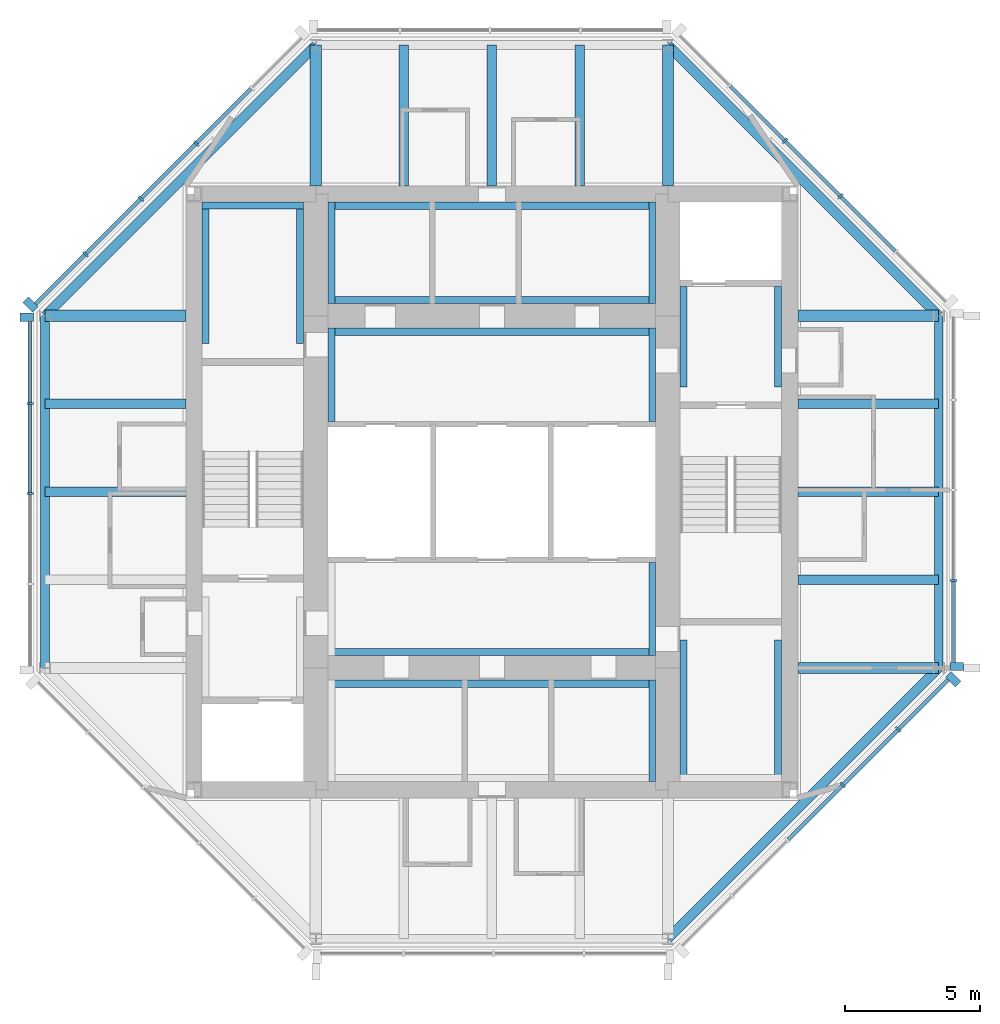
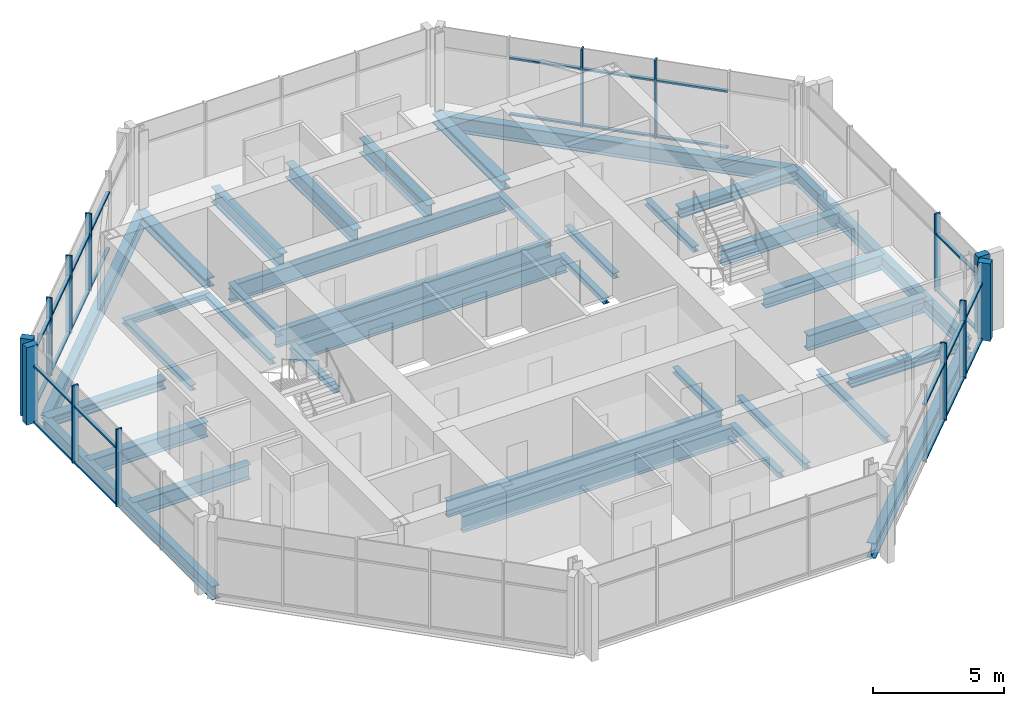
# One storey, part 2 of 8: 40 members, 36 beams, 5 elements without a shape of their own.
"""IFC4 building model written with IfcOpenShell, lengths in metres."""

from ifc_helpers import new_model, si_unit, direction, frame, origin, origin_2d, place, context, subcontext, project, spatial, rectangle, i_section, extrude, material, material_profile, profile_set, type_object, element, aggregate, save


model = new_model("IFC4")

# Units and contexts
model_context = context("Model", 3, precision=1e-05, world=origin(), true_north=direction((0.0, 1.0)))
body_context = subcontext(model_context, "Body", "Model", "MODEL_VIEW")
ifc_project = project(units=[si_unit("LENGTHUNIT", "METRE"), si_unit("AREAUNIT", "SQUARE_METRE"), si_unit("VOLUMEUNIT", "CUBIC_METRE"), si_unit("PLANEANGLEUNIT", "RADIAN"), si_unit("MASSUNIT", "GRAM", prefix="KILO")], contexts=[model_context])

# Site, building, storey
site_placement = place(None, origin())
site = spatial("IfcSite", under=ifc_project, at=site_placement, CompositionType="ELEMENT")
building_placement = place(site_placement, origin())
building = spatial("IfcBuilding", under=site, at=building_placement, Name="Trevanion Tower", CompositionType="ELEMENT")
storey_placement = place(building_placement, frame((0.0, 0.0, 266.800048828125)))
storey = spatial("IfcBuildingStorey", under=building, at=storey_placement, Name="L65", CompositionType="ELEMENT", Elevation=266.800048828125)

# Beams
ifc_material_1 = material(Name="Steel ASTM A992 Grade 50", Category="steel")
ifc_material_profile_1 = material_profile(ifc_material_1, i_section(OverallWidth=0.355712890625, OverallDepth=0.700927734375, WebThickness=0.016845703125, FlangeThickness=0.02734375, at=origin_2d()), Name="W27X161")
ifc_profile_set_1 = profile_set([ifc_material_profile_1], Name="Steel ASTM A992 Grade 50")
beam_type_1 = type_object("IfcBeamType", Name="B15 W27X161", PredefinedType="BEAM", material=ifc_profile_set_1)
for number, where, z_axis, x_axis, name in (
    (1, (11.300048828125, -3.25, -0.54052734375), (1.0, 0.0, 0.0), (0.0, 1.0, 0.0), "B15 L65"),
    (2, (11.300048828125, 0.0, -0.54052734375), (1.0, 0.0, 0.0), (0.0, 1.0, 0.0), "B15 L65"),
    (3, (11.300048828125, 3.25, -0.54052734375), (1.0, 0.0, 0.0), (0.0, 1.0, 0.0), "B15 L65"),
    (4, (3.25, 11.300048828125, -0.54052734375), (0.0, 1.0, 0.0), (-1.0, 0.0, 0.0), "B15 L65"),
    (5, (0.0, 11.300048828125, -0.54052734375), (0.0, 1.0, 0.0), (-1.0, 0.0, 0.0), "B15 L65"),
    (6, (-3.25, 11.300048828125, -0.54052734375), (0.0, 1.0, 0.0), (-1.0, 0.0, 0.0), "B15 L65"),
    (7, (-11.300048828125, 3.25, -0.54052734375), (-1.0, 0.0, 0.0), (0.0, -1.0, 0.0), "B15 L65"),
    (8, (-11.300048828125, 0.0, -0.54052734375), (-1.0, 0.0, 0.0), (0.0, -1.0, 0.0), "B15 L65"),
):
    element("IfcBeam", number, at=place(storey_placement, frame(where, z_axis=z_axis, x_axis=x_axis)), inside=storey, type_object=beam_type_1, Name=name, PredefinedType="BEAM", context=body_context, shape_type="SweptSolid", body=[
        extrude(i_section(OverallWidth=0.355712890625, OverallDepth=0.700927734375, WebThickness=0.016845703125, FlangeThickness=0.02734375, at=origin_2d()), origin(), (0.0, 0.0, 1.0), 5.199951171875),
    ])

# Curtain wall, member
ifc_material_2 = material(Name="Aluminium and glass", Category="aluminium")
curtain_wall_type = type_object("IfcCurtainWallType", Name="CW4 curtain wall", PredefinedType="USERDEFINED", material=ifc_material_2)
curtain_wall_1_placement = place(storey_placement, origin())
curtain_wall_1 = element("IfcCurtainWall", 9, at=curtain_wall_1_placement, inside=storey, type_object=curtain_wall_type, Name="CW4 L65 0", ObjectType="UNITISED CURTAIN WALL", PredefinedType="USERDEFINED")
ifc_material_3 = material(Name="Aluminium extrusion, anodised bronze", Category="aluminium")
ifc_material_profile_2 = material_profile(ifc_material_3, rectangle(XDim=0.074951171875, YDim=0.25, at=origin_2d()), Name="CW4 mullion")
ifc_profile_set_2 = profile_set([ifc_material_profile_2], Name="Aluminium extrusion, anodised bronze")
member_type_1 = type_object("IfcMemberType", Name="CW4 mullion", PredefinedType="MULLION", material=ifc_profile_set_2)
member_1_placement = place(storey_placement, frame((17.050048828125, -3.266357421875, -0.18994140625), z_axis=(0.0, 0.0, 1.0), x_axis=(0.0, 1.0, 0.0)))
member_1 = element("IfcMember", 10, at=member_1_placement, type_object=member_type_1, Name="CW4 mullion 2", PredefinedType="MULLION", context=body_context, shape_type="SweptSolid", body=[
    extrude(rectangle(XDim=0.074951171875, YDim=0.25, at=origin_2d()), origin(), (0.0, 0.0, 1.0), 3.599853515625),
])

# Curtain wall, members
curtain_wall_2_placement = place(storey_placement, origin())
curtain_wall_2 = element("IfcCurtainWall", 11, at=curtain_wall_2_placement, inside=storey, type_object=curtain_wall_type, Name="CW4 L65 1", ObjectType="UNITISED CURTAIN WALL", PredefinedType="USERDEFINED")
member_2_placement = place(storey_placement, frame((12.865966796875, 10.911865234375, -0.18994140625), z_axis=(0.0, 0.0, 1.0), x_axis=(-0.707106781187, 0.707106781187, 0.0)))
member_2 = element("IfcMember", 12, at=member_2_placement, type_object=member_type_1, Name="CW4 mullion 3", PredefinedType="MULLION", context=body_context, shape_type="SweptSolid", body=[
    extrude(rectangle(XDim=0.074951171875, YDim=0.25, at=origin_2d()), origin(), (0.0, 0.0, 1.0), 3.599853515625),
])
member_3_placement = place(storey_placement, frame((10.81982421875, 12.9580078125, -0.18994140625), z_axis=(0.0, 0.0, 1.0), x_axis=(-0.707106781187, 0.707106781187, 0.0)))
member_3 = element("IfcMember", 13, at=member_3_placement, type_object=member_type_1, Name="CW4 mullion 4", PredefinedType="MULLION", context=body_context, shape_type="SweptSolid", body=[
    extrude(rectangle(XDim=0.074951171875, YDim=0.25, at=origin_2d()), origin(), (0.0, 0.0, 1.0), 3.599853515625),
])

curtain_wall_3_placement = place(storey_placement, origin())
curtain_wall_3 = element("IfcCurtainWall", 14, at=curtain_wall_3_placement, inside=storey, type_object=curtain_wall_type, Name="CW4 L65 3", ObjectType="UNITISED CURTAIN WALL", PredefinedType="USERDEFINED")
member_4_placement = place(storey_placement, frame((-10.911865234375, 12.865966796875, -0.18994140625), z_axis=(0.0, 0.0, 1.0), x_axis=(-0.707106781187, -0.707106781187, 0.0)))
member_4 = element("IfcMember", 15, at=member_4_placement, type_object=member_type_1, Name="CW4 mullion 3", PredefinedType="MULLION", context=body_context, shape_type="SweptSolid", body=[
    extrude(rectangle(XDim=0.074951171875, YDim=0.25, at=origin_2d()), origin(), (0.0, 0.0, 1.0), 3.599853515625),
])
member_5_placement = place(storey_placement, frame((-12.9580078125, 10.81982421875, -0.18994140625), z_axis=(0.0, 0.0, 1.0), x_axis=(-0.707106781187, -0.707106781187, 0.0)))
member_5 = element("IfcMember", 16, at=member_5_placement, type_object=member_type_1, Name="CW4 mullion 4", PredefinedType="MULLION", context=body_context, shape_type="SweptSolid", body=[
    extrude(rectangle(XDim=0.074951171875, YDim=0.25, at=origin_2d()), origin(), (0.0, 0.0, 1.0), 3.599853515625),
])
member_6_placement = place(storey_placement, frame((-15.00390625, 8.77392578125, -0.18994140625), z_axis=(0.0, 0.0, 1.0), x_axis=(-0.707106781187, -0.707106781187, 0.0)))
member_6 = element("IfcMember", 17, at=member_6_placement, type_object=member_type_1, Name="CW4 mullion 5", PredefinedType="MULLION", context=body_context, shape_type="SweptSolid", body=[
    extrude(rectangle(XDim=0.074951171875, YDim=0.25, at=origin_2d()), origin(), (0.0, 0.0, 1.0), 3.599853515625),
])

curtain_wall_4_placement = place(storey_placement, origin())
curtain_wall_4 = element("IfcCurtainWall", 18, at=curtain_wall_4_placement, inside=storey, type_object=curtain_wall_type, Name="CW4 L65 4", ObjectType="UNITISED CURTAIN WALL", PredefinedType="USERDEFINED")
member_7_placement = place(storey_placement, frame((-17.050048828125, 3.266357421875, -0.18994140625), z_axis=(0.0, 0.0, 1.0), x_axis=(0.0, -1.0, 0.0)))
member_7 = element("IfcMember", 19, at=member_7_placement, type_object=member_type_1, Name="CW4 mullion 2", PredefinedType="MULLION", context=body_context, shape_type="SweptSolid", body=[
    extrude(rectangle(XDim=0.074951171875, YDim=0.25, at=origin_2d()), origin(), (0.0, 0.0, 1.0), 3.599853515625),
])
member_8_placement = place(storey_placement, frame((-17.050048828125, -0.06494140625, -0.18994140625), z_axis=(0.0, 0.0, 1.0), x_axis=(0.0, -1.0, 0.0)))
member_8 = element("IfcMember", 20, at=member_8_placement, type_object=member_type_1, Name="CW4 mullion 3", PredefinedType="MULLION", context=body_context, shape_type="SweptSolid", body=[
    extrude(rectangle(XDim=0.074951171875, YDim=0.25, at=origin_2d()), origin(), (0.0, 0.0, 1.0), 3.599853515625),
])

curtain_wall_5_placement = place(storey_placement, origin())
curtain_wall_5 = element("IfcCurtainWall", 21, at=curtain_wall_5_placement, inside=storey, type_object=curtain_wall_type, Name="CW4 L65 7", ObjectType="UNITISED CURTAIN WALL", PredefinedType="USERDEFINED")
member_9_placement = place(storey_placement, frame((12.9580078125, -10.81982421875, -0.18994140625), z_axis=(0.0, 0.0, 1.0), x_axis=(0.707106781187, 0.707106781187, 0.0)))
member_9 = element("IfcMember", 22, at=member_9_placement, type_object=member_type_1, Name="CW4 mullion 4", PredefinedType="MULLION", context=body_context, shape_type="SweptSolid", body=[
    extrude(rectangle(XDim=0.074951171875, YDim=0.25, at=origin_2d()), origin(), (0.0, 0.0, 1.0), 3.599853515625),
])
member_10_placement = place(storey_placement, frame((15.00390625, -8.77392578125, -0.18994140625), z_axis=(0.0, 0.0, 1.0), x_axis=(0.707106781187, 0.707106781187, 0.0)))
member_10 = element("IfcMember", 23, at=member_10_placement, type_object=member_type_1, Name="CW4 mullion 5", PredefinedType="MULLION", context=body_context, shape_type="SweptSolid", body=[
    extrude(rectangle(XDim=0.074951171875, YDim=0.25, at=origin_2d()), origin(), (0.0, 0.0, 1.0), 3.599853515625),
])

# Member
ifc_material_4 = material(Name="Aluminium extrusion, anodised bronze", Category="aluminium")
ifc_material_profile_3 = material_profile(ifc_material_4, rectangle(XDim=0.300048828125, YDim=0.5, at=origin_2d()), Name="CW4 pier mullion")
ifc_profile_set_3 = profile_set([ifc_material_profile_3], Name="Aluminium extrusion, anodised bronze")
member_type_2 = type_object("IfcMemberType", Name="CW4 pier mullion", PredefinedType="MULLION", material=ifc_profile_set_3)
member_11_placement = place(storey_placement, frame((17.175048828125, -6.44775390625, -0.18994140625), z_axis=(0.0, 0.0, 1.0), x_axis=(0.0, 1.0, 0.0)))
member_11 = element("IfcMember", 24, at=member_11_placement, type_object=member_type_2, Name="CW4 pier mullion 1", PredefinedType="MULLION", context=body_context, shape_type="SweptSolid", body=[
    extrude(rectangle(XDim=0.300048828125, YDim=0.5, at=origin_2d()), origin(), (0.0, 0.0, 1.0), 3.599853515625),
])

member_12_placement = place(storey_placement, frame((-17.0322265625, 6.92236328125, -0.18994140625), z_axis=(0.0, 0.0, 1.0), x_axis=(-0.707106781187, -0.707106781187, 0.0)))
member_12 = element("IfcMember", 25, at=member_12_placement, type_object=member_type_2, Name="CW4 pier mullion 6", PredefinedType="MULLION", context=body_context, shape_type="SweptSolid", body=[
    extrude(rectangle(XDim=0.300048828125, YDim=0.5, at=origin_2d()), origin(), (0.0, 0.0, 1.0), 3.599853515625),
])

member_13_placement = place(storey_placement, frame((-17.175048828125, 6.44775390625, -0.18994140625), z_axis=(0.0, 0.0, 1.0), x_axis=(0.0, -1.0, 0.0)))
member_13 = element("IfcMember", 26, at=member_13_placement, type_object=member_type_2, Name="CW4 pier mullion 1", PredefinedType="MULLION", context=body_context, shape_type="SweptSolid", body=[
    extrude(rectangle(XDim=0.300048828125, YDim=0.5, at=origin_2d()), origin(), (0.0, 0.0, 1.0), 3.599853515625),
])

member_14_placement = place(storey_placement, frame((17.0322265625, -6.92236328125, -0.18994140625), z_axis=(0.0, 0.0, 1.0), x_axis=(0.707106781187, 0.707106781187, 0.0)))
member_14 = element("IfcMember", 27, at=member_14_placement, type_object=member_type_2, Name="CW4 pier mullion 6", PredefinedType="MULLION", context=body_context, shape_type="SweptSolid", body=[
    extrude(rectangle(XDim=0.300048828125, YDim=0.5, at=origin_2d()), origin(), (0.0, 0.0, 1.0), 3.599853515625),
])

ifc_material_5 = material(Name="Aluminium extrusion, anodised bronze", Category="aluminium")
ifc_material_profile_4 = material_profile(ifc_material_5, rectangle(XDim=0.14990234375, YDim=0.074951171875, at=origin_2d()), Name="CW4 transom")
ifc_profile_set_4 = profile_set([ifc_material_profile_4], Name="Aluminium extrusion, anodised bronze")
member_type_3 = type_object("IfcMemberType", Name="CW4 transom", PredefinedType="USERDEFINED", material=ifc_profile_set_4)
member_15_placement = place(storey_placement, frame((17.050048828125, -6.2978515625, -0.152587890625), z_axis=(0.0, 1.0, 0.0), x_axis=(-1.0, 0.0, 0.0)))
member_15 = element("IfcMember", 28, at=member_15_placement, type_object=member_type_3, Name="CW4 transom 1.1", ObjectType="TRANSOM", PredefinedType="USERDEFINED", context=body_context, shape_type="SweptSolid", body=[
    extrude(rectangle(XDim=0.14990234375, YDim=0.074951171875, at=origin_2d()), origin(), (0.0, 0.0, 1.0), 2.993896484375),
])

member_16_placement = place(storey_placement, frame((17.050048828125, -6.2978515625, 2.4599609375), z_axis=(0.0, 1.0, 0.0), x_axis=(-1.0, 0.0, 0.0)))
member_16 = element("IfcMember", 29, at=member_16_placement, type_object=member_type_3, Name="CW4 transom 1.2", ObjectType="TRANSOM", PredefinedType="USERDEFINED", context=body_context, shape_type="SweptSolid", body=[
    extrude(rectangle(XDim=0.14990234375, YDim=0.074951171875, at=origin_2d()), origin(), (0.0, 0.0, 1.0), 2.993896484375),
])

aggregate(curtain_wall_1, [member_11, member_1, member_15, member_16])

member_17_placement = place(storey_placement, frame((14.885498046875, 8.892333984375, -0.152587890625), z_axis=(-0.707106781187, 0.707106781187, 0.0), x_axis=(-0.707106781187, -0.707106781187, 0.0)))
member_17 = element("IfcMember", 30, at=member_17_placement, type_object=member_type_3, Name="CW4 transom 2.1", ObjectType="TRANSOM", PredefinedType="USERDEFINED", context=body_context, shape_type="SweptSolid", body=[
    extrude(rectangle(XDim=0.14990234375, YDim=0.074951171875, at=origin_2d()), origin(), (0.0, 0.0, 1.0), 2.818359375),
])

member_18_placement = place(storey_placement, frame((14.885498046875, 8.892333984375, 2.4599609375), z_axis=(-0.707106781187, 0.707106781187, 0.0), x_axis=(-0.707106781187, -0.707106781187, 0.0)))
member_18 = element("IfcMember", 31, at=member_18_placement, type_object=member_type_3, Name="CW4 transom 2.2", ObjectType="TRANSOM", PredefinedType="USERDEFINED", context=body_context, shape_type="SweptSolid", body=[
    extrude(rectangle(XDim=0.14990234375, YDim=0.074951171875, at=origin_2d()), origin(), (0.0, 0.0, 1.0), 2.818359375),
])

member_19_placement = place(storey_placement, frame((12.839599609375, 10.9384765625, -0.152587890625), z_axis=(-0.707150088905, 0.707063470815, 0.0), x_axis=(-0.707063470815, -0.707150088905, 0.0)))
member_19 = element("IfcMember", 32, at=member_19_placement, type_object=member_type_3, Name="CW4 transom 3.1", ObjectType="TRANSOM", PredefinedType="USERDEFINED", context=body_context, shape_type="SweptSolid", body=[
    extrude(rectangle(XDim=0.14990234375, YDim=0.074951171875, at=origin_2d()), origin(), (0.0, 0.0, 1.0), 2.818603515625),
])

member_20_placement = place(storey_placement, frame((12.839599609375, 10.9384765625, 2.4599609375), z_axis=(-0.707150088905, 0.707063470815, 0.0), x_axis=(-0.707063470815, -0.707150088905, 0.0)))
member_20 = element("IfcMember", 33, at=member_20_placement, type_object=member_type_3, Name="CW4 transom 3.2", ObjectType="TRANSOM", PredefinedType="USERDEFINED", context=body_context, shape_type="SweptSolid", body=[
    extrude(rectangle(XDim=0.14990234375, YDim=0.074951171875, at=origin_2d()), origin(), (0.0, 0.0, 1.0), 2.818603515625),
])

member_21_placement = place(storey_placement, frame((10.79345703125, 12.984375, -0.152587890625), z_axis=(-0.707150088905, 0.707063470815, 0.0), x_axis=(-0.707063470815, -0.707150088905, 0.0)))
member_21 = element("IfcMember", 34, at=member_21_placement, type_object=member_type_3, Name="CW4 transom 4.1", ObjectType="TRANSOM", PredefinedType="USERDEFINED", context=body_context, shape_type="SweptSolid", body=[
    extrude(rectangle(XDim=0.14990234375, YDim=0.074951171875, at=origin_2d()), origin(), (0.0, 0.0, 1.0), 2.818603515625),
])

member_22_placement = place(storey_placement, frame((10.79345703125, 12.984375, 2.4599609375), z_axis=(-0.707150088905, 0.707063470815, 0.0), x_axis=(-0.707063470815, -0.707150088905, 0.0)))
member_22 = element("IfcMember", 35, at=member_22_placement, type_object=member_type_3, Name="CW4 transom 4.2", ObjectType="TRANSOM", PredefinedType="USERDEFINED", context=body_context, shape_type="SweptSolid", body=[
    extrude(rectangle(XDim=0.14990234375, YDim=0.074951171875, at=origin_2d()), origin(), (0.0, 0.0, 1.0), 2.818603515625),
])

aggregate(curtain_wall_2, [member_2, member_3, member_17, member_18, member_19, member_20, member_21, member_22])

member_23_placement = place(storey_placement, frame((-8.892333984375, 14.885498046875, -0.152587890625), z_axis=(-0.707106781187, -0.707106781187, 0.0), x_axis=(0.707106781187, -0.707106781187, 0.0)))
member_23 = element("IfcMember", 36, at=member_23_placement, type_object=member_type_3, Name="CW4 transom 2.1", ObjectType="TRANSOM", PredefinedType="USERDEFINED", context=body_context, shape_type="SweptSolid", body=[
    extrude(rectangle(XDim=0.14990234375, YDim=0.074951171875, at=origin_2d()), origin(), (0.0, 0.0, 1.0), 2.818359375),
])

member_24_placement = place(storey_placement, frame((-8.892333984375, 14.885498046875, 2.4599609375), z_axis=(-0.707106781187, -0.707106781187, 0.0), x_axis=(0.707106781187, -0.707106781187, 0.0)))
member_24 = element("IfcMember", 37, at=member_24_placement, type_object=member_type_3, Name="CW4 transom 2.2", ObjectType="TRANSOM", PredefinedType="USERDEFINED", context=body_context, shape_type="SweptSolid", body=[
    extrude(rectangle(XDim=0.14990234375, YDim=0.074951171875, at=origin_2d()), origin(), (0.0, 0.0, 1.0), 2.818359375),
])

member_25_placement = place(storey_placement, frame((-10.9384765625, 12.839599609375, -0.152587890625), z_axis=(-0.707063470815, -0.707150088905, 0.0), x_axis=(0.707150088905, -0.707063470815, 0.0)))
member_25 = element("IfcMember", 38, at=member_25_placement, type_object=member_type_3, Name="CW4 transom 3.1", ObjectType="TRANSOM", PredefinedType="USERDEFINED", context=body_context, shape_type="SweptSolid", body=[
    extrude(rectangle(XDim=0.14990234375, YDim=0.074951171875, at=origin_2d()), origin(), (0.0, 0.0, 1.0), 2.818603515625),
])

member_26_placement = place(storey_placement, frame((-10.9384765625, 12.839599609375, 2.4599609375), z_axis=(-0.707063470815, -0.707150088905, 0.0), x_axis=(0.707150088905, -0.707063470815, 0.0)))
member_26 = element("IfcMember", 39, at=member_26_placement, type_object=member_type_3, Name="CW4 transom 3.2", ObjectType="TRANSOM", PredefinedType="USERDEFINED", context=body_context, shape_type="SweptSolid", body=[
    extrude(rectangle(XDim=0.14990234375, YDim=0.074951171875, at=origin_2d()), origin(), (0.0, 0.0, 1.0), 2.818603515625),
])

member_27_placement = place(storey_placement, frame((-12.984375, 10.79345703125, -0.152587890625), z_axis=(-0.707063470815, -0.707150088905, 0.0), x_axis=(0.707150088905, -0.707063470815, 0.0)))
member_27 = element("IfcMember", 40, at=member_27_placement, type_object=member_type_3, Name="CW4 transom 4.1", ObjectType="TRANSOM", PredefinedType="USERDEFINED", context=body_context, shape_type="SweptSolid", body=[
    extrude(rectangle(XDim=0.14990234375, YDim=0.074951171875, at=origin_2d()), origin(), (0.0, 0.0, 1.0), 2.818603515625),
])

member_28_placement = place(storey_placement, frame((-12.984375, 10.79345703125, 2.4599609375), z_axis=(-0.707063470815, -0.707150088905, 0.0), x_axis=(0.707150088905, -0.707063470815, 0.0)))
member_28 = element("IfcMember", 41, at=member_28_placement, type_object=member_type_3, Name="CW4 transom 4.2", ObjectType="TRANSOM", PredefinedType="USERDEFINED", context=body_context, shape_type="SweptSolid", body=[
    extrude(rectangle(XDim=0.14990234375, YDim=0.074951171875, at=origin_2d()), origin(), (0.0, 0.0, 1.0), 2.818603515625),
])

member_29_placement = place(storey_placement, frame((-15.030517578125, 8.747314453125, -0.152587890625), z_axis=(-0.707106781187, -0.707106781187, 0.0), x_axis=(0.707106781187, -0.707106781187, 0.0)))
member_29 = element("IfcMember", 42, at=member_29_placement, type_object=member_type_3, Name="CW4 transom 5.1", ObjectType="TRANSOM", PredefinedType="USERDEFINED", context=body_context, shape_type="SweptSolid", body=[
    extrude(rectangle(XDim=0.14990234375, YDim=0.074951171875, at=origin_2d()), origin(), (0.0, 0.0, 1.0), 2.555908203125),
])

member_30_placement = place(storey_placement, frame((-15.030517578125, 8.747314453125, 2.4599609375), z_axis=(-0.707106781187, -0.707106781187, 0.0), x_axis=(0.707106781187, -0.707106781187, 0.0)))
member_30 = element("IfcMember", 43, at=member_30_placement, type_object=member_type_3, Name="CW4 transom 5.2", ObjectType="TRANSOM", PredefinedType="USERDEFINED", context=body_context, shape_type="SweptSolid", body=[
    extrude(rectangle(XDim=0.14990234375, YDim=0.074951171875, at=origin_2d()), origin(), (0.0, 0.0, 1.0), 2.555908203125),
])

aggregate(curtain_wall_3, [member_4, member_5, member_6, member_12, member_23, member_24, member_25, member_26, member_27, member_28, member_29, member_30])

member_31_placement = place(storey_placement, frame((-17.050048828125, 6.2978515625, -0.152587890625), z_axis=(0.0, -1.0, 0.0), x_axis=(1.0, 0.0, 0.0)))
member_31 = element("IfcMember", 44, at=member_31_placement, type_object=member_type_3, Name="CW4 transom 1.1", ObjectType="TRANSOM", PredefinedType="USERDEFINED", context=body_context, shape_type="SweptSolid", body=[
    extrude(rectangle(XDim=0.14990234375, YDim=0.074951171875, at=origin_2d()), origin(), (0.0, 0.0, 1.0), 2.993896484375),
])

member_32_placement = place(storey_placement, frame((-17.050048828125, 6.2978515625, 2.4599609375), z_axis=(0.0, -1.0, 0.0), x_axis=(1.0, 0.0, 0.0)))
member_32 = element("IfcMember", 45, at=member_32_placement, type_object=member_type_3, Name="CW4 transom 1.2", ObjectType="TRANSOM", PredefinedType="USERDEFINED", context=body_context, shape_type="SweptSolid", body=[
    extrude(rectangle(XDim=0.14990234375, YDim=0.074951171875, at=origin_2d()), origin(), (0.0, 0.0, 1.0), 2.993896484375),
])

member_33_placement = place(storey_placement, frame((-17.050048828125, 3.22900390625, -0.152587890625), z_axis=(0.0, -1.0, 0.0), x_axis=(1.0, 0.0, 0.0)))
member_33 = element("IfcMember", 46, at=member_33_placement, type_object=member_type_3, Name="CW4 transom 2.1", ObjectType="TRANSOM", PredefinedType="USERDEFINED", context=body_context, shape_type="SweptSolid", body=[
    extrude(rectangle(XDim=0.14990234375, YDim=0.074951171875, at=origin_2d()), origin(), (0.0, 0.0, 1.0), 3.256591796875),
])

member_34_placement = place(storey_placement, frame((-17.050048828125, 3.22900390625, 2.4599609375), z_axis=(0.0, -1.0, 0.0), x_axis=(1.0, 0.0, 0.0)))
member_34 = element("IfcMember", 47, at=member_34_placement, type_object=member_type_3, Name="CW4 transom 2.2", ObjectType="TRANSOM", PredefinedType="USERDEFINED", context=body_context, shape_type="SweptSolid", body=[
    extrude(rectangle(XDim=0.14990234375, YDim=0.074951171875, at=origin_2d()), origin(), (0.0, 0.0, 1.0), 3.256591796875),
])

aggregate(curtain_wall_4, [member_13, member_7, member_8, member_31, member_32, member_33, member_34])

member_35_placement = place(storey_placement, frame((10.9384765625, -12.839599609375, -0.152587890625), z_axis=(0.707063470815, 0.707150088905, 0.0), x_axis=(-0.707150088905, 0.707063470815, 0.0)))
member_35 = element("IfcMember", 48, at=member_35_placement, type_object=member_type_3, Name="CW4 transom 3.1", ObjectType="TRANSOM", PredefinedType="USERDEFINED", context=body_context, shape_type="SweptSolid", body=[
    extrude(rectangle(XDim=0.14990234375, YDim=0.074951171875, at=origin_2d()), origin(), (0.0, 0.0, 1.0), 2.818603515625),
])

member_36_placement = place(storey_placement, frame((10.9384765625, -12.839599609375, 2.4599609375), z_axis=(0.707063470815, 0.707150088905, 0.0), x_axis=(-0.707150088905, 0.707063470815, 0.0)))
member_36 = element("IfcMember", 49, at=member_36_placement, type_object=member_type_3, Name="CW4 transom 3.2", ObjectType="TRANSOM", PredefinedType="USERDEFINED", context=body_context, shape_type="SweptSolid", body=[
    extrude(rectangle(XDim=0.14990234375, YDim=0.074951171875, at=origin_2d()), origin(), (0.0, 0.0, 1.0), 2.818603515625),
])

member_37_placement = place(storey_placement, frame((12.984375, -10.79345703125, -0.152587890625), z_axis=(0.707063470815, 0.707150088905, 0.0), x_axis=(-0.707150088905, 0.707063470815, 0.0)))
member_37 = element("IfcMember", 50, at=member_37_placement, type_object=member_type_3, Name="CW4 transom 4.1", ObjectType="TRANSOM", PredefinedType="USERDEFINED", context=body_context, shape_type="SweptSolid", body=[
    extrude(rectangle(XDim=0.14990234375, YDim=0.074951171875, at=origin_2d()), origin(), (0.0, 0.0, 1.0), 2.818603515625),
])

member_38_placement = place(storey_placement, frame((12.984375, -10.79345703125, 2.4599609375), z_axis=(0.707063470815, 0.707150088905, 0.0), x_axis=(-0.707150088905, 0.707063470815, 0.0)))
member_38 = element("IfcMember", 51, at=member_38_placement, type_object=member_type_3, Name="CW4 transom 4.2", ObjectType="TRANSOM", PredefinedType="USERDEFINED", context=body_context, shape_type="SweptSolid", body=[
    extrude(rectangle(XDim=0.14990234375, YDim=0.074951171875, at=origin_2d()), origin(), (0.0, 0.0, 1.0), 2.818603515625),
])

member_39_placement = place(storey_placement, frame((15.030517578125, -8.747314453125, -0.152587890625), z_axis=(0.707106781187, 0.707106781187, 0.0), x_axis=(-0.707106781187, 0.707106781187, 0.0)))
member_39 = element("IfcMember", 52, at=member_39_placement, type_object=member_type_3, Name="CW4 transom 5.1", ObjectType="TRANSOM", PredefinedType="USERDEFINED", context=body_context, shape_type="SweptSolid", body=[
    extrude(rectangle(XDim=0.14990234375, YDim=0.074951171875, at=origin_2d()), origin(), (0.0, 0.0, 1.0), 2.555908203125),
])

member_40_placement = place(storey_placement, frame((15.030517578125, -8.747314453125, 2.4599609375), z_axis=(0.707106781187, 0.707106781187, 0.0), x_axis=(-0.707106781187, 0.707106781187, 0.0)))
member_40 = element("IfcMember", 53, at=member_40_placement, type_object=member_type_3, Name="CW4 transom 5.2", ObjectType="TRANSOM", PredefinedType="USERDEFINED", context=body_context, shape_type="SweptSolid", body=[
    extrude(rectangle(XDim=0.14990234375, YDim=0.074951171875, at=origin_2d()), origin(), (0.0, 0.0, 1.0), 2.555908203125),
])

aggregate(curtain_wall_5, [member_9, member_10, member_14, member_35, member_36, member_37, member_38, member_39, member_40])

# Beams
ifc_material_6 = material(Name="Steel ASTM A992 Grade 50", Category="steel")
ifc_material_profile_5 = material_profile(ifc_material_6, i_section(OverallWidth=0.41650390625, OverallDepth=0.444580078125, WebThickness=0.0390625, FlangeThickness=0.062744140625, at=origin_2d()), Name="W14X342")
ifc_profile_set_5 = profile_set([ifc_material_profile_5], Name="Steel ASTM A992 Grade 50")
beam_type_2 = type_object("IfcBeamType", Name="G8 W14X342", PredefinedType="BEAM", material=ifc_profile_set_5)
for number, where, z_axis, x_axis, name in (
    (54, (11.300048828125, -6.5, -0.412353515625), (1.0, 0.0, 0.0), (0.0, 1.0, 0.0), "G8 L65"),
    (55, (11.300048828125, 6.5, -0.412353515625), (1.0, 0.0, 0.0), (0.0, 1.0, 0.0), "G8 L65"),
    (56, (6.5, 11.300048828125, -0.412353515625), (0.0, 1.0, 0.0), (-1.0, 0.0, 0.0), "G8 L65"),
    (57, (-6.5, 11.300048828125, -0.412353515625), (0.0, 1.0, 0.0), (-1.0, 0.0, 0.0), "G8 L65"),
    (58, (-11.300048828125, 6.5, -0.412353515625), (-1.0, 0.0, 0.0), (0.0, -1.0, 0.0), "G8 L65"),
):
    element("IfcBeam", number, at=place(storey_placement, frame(where, z_axis=z_axis, x_axis=x_axis)), inside=storey, type_object=beam_type_2, Name=name, PredefinedType="BEAM", context=body_context, shape_type="SweptSolid", body=[
        extrude(i_section(OverallWidth=0.41650390625, OverallDepth=0.444580078125, WebThickness=0.0390625, FlangeThickness=0.062744140625, at=origin_2d()), origin(), (0.0, 0.0, 1.0), 5.199951171875),
    ])
ifc_material_7 = material(Name="Steel ASTM A992 Grade 50", Category="steel")
ifc_material_profile_6 = material_profile(ifc_material_7, i_section(OverallWidth=0.256591796875, OverallDepth=0.26416015625, WebThickness=0.011962890625, FlangeThickness=0.01953125, at=origin_2d()), Name="W10X68")
ifc_profile_set_6 = profile_set([ifc_material_profile_6], Name="Steel ASTM A992 Grade 50")
beam_type_3 = type_object("IfcBeamType", Name="LB1 W10X68", PredefinedType="BEAM", material=ifc_profile_set_6)
for number, where, z_axis, x_axis, name in (
    (59, (-5.921630859375, 2.60009765625, -0.33203125), (0.0, 1.0, 0.0), (-1.0, 0.0, 0.0), "LB1 L65"),
    (60, (5.921630859375, 2.60009765625, -0.33203125), (0.0, 1.0, 0.0), (-1.0, 0.0, 0.0), "LB1 L65"),
    (61, (5.921630859375, -6.050048828125, -0.33203125), (0.0, 1.0, 0.0), (-1.0, 0.0, 0.0), "LB1 L65"),
):
    element("IfcBeam", number, at=place(storey_placement, frame(where, z_axis=z_axis, x_axis=x_axis)), inside=storey, type_object=beam_type_3, Name=name, PredefinedType="BEAM", context=body_context, shape_type="SweptSolid", body=[
        extrude(i_section(OverallWidth=0.256591796875, OverallDepth=0.26416015625, WebThickness=0.011962890625, FlangeThickness=0.01953125, at=origin_2d()), origin(), (0.0, 0.0, 1.0), 3.449951171875),
    ])
for number, where, z_axis, x_axis, name in (
    (62, (7.078369140625, 3.875, -0.33203125), (0.0, 1.0, 0.0), (-1.0, 0.0, 0.0), "LB1 L65"),
    (63, (10.57177734375, 3.875, -0.33203125), (0.0, 1.0, 0.0), (-1.0, 0.0, 0.0), "LB1 L65"),
):
    element("IfcBeam", number, at=place(storey_placement, frame(where, z_axis=z_axis, x_axis=x_axis)), inside=storey, type_object=beam_type_3, Name=name, PredefinedType="BEAM", context=body_context, shape_type="SweptSolid", body=[
        extrude(i_section(OverallWidth=0.256591796875, OverallDepth=0.26416015625, WebThickness=0.011962890625, FlangeThickness=0.01953125, at=origin_2d()), origin(), (0.0, 0.0, 1.0), 3.699951171875),
    ])
for number, where, z_axis, x_axis, name in (
    (64, (7.078369140625, -10.699951171875, -0.33203125), (0.0, 1.0, 0.0), (-1.0, 0.0, 0.0), "LB1 L65"),
    (65, (10.57177734375, -10.699951171875, -0.33203125), (0.0, 1.0, 0.0), (-1.0, 0.0, 0.0), "LB1 L65"),
    (66, (-10.57177734375, 5.47509765625, -0.33203125), (0.0, 1.0, 0.0), (-1.0, 0.0, 0.0), "LB1 L65"),
    (67, (-7.078369140625, 5.47509765625, -0.33203125), (0.0, 1.0, 0.0), (-1.0, 0.0, 0.0), "LB1 L65"),
):
    element("IfcBeam", number, at=place(storey_placement, frame(where, z_axis=z_axis, x_axis=x_axis)), inside=storey, type_object=beam_type_3, Name=name, PredefinedType="BEAM", context=body_context, shape_type="SweptSolid", body=[
        extrude(i_section(OverallWidth=0.256591796875, OverallDepth=0.26416015625, WebThickness=0.011962890625, FlangeThickness=0.01953125, at=origin_2d()), origin(), (0.0, 0.0, 1.0), 5.224853515625),
    ])
for number, where, z_axis, x_axis, name in (
    (68, (-10.699951171875, 10.57177734375, -0.33203125), (1.0, 0.0, 0.0), (0.0, 1.0, 0.0), "LB1 L65"),
    (69, (-5.921630859375, 6.949951171875, -0.33203125), (0.0, 1.0, 0.0), (-1.0, 0.0, 0.0), "LB1 L65"),
    (70, (5.921630859375, 6.949951171875, -0.33203125), (0.0, 1.0, 0.0), (-1.0, 0.0, 0.0), "LB1 L65"),
    (71, (5.921630859375, -10.699951171875, -0.33203125), (0.0, 1.0, 0.0), (-1.0, 0.0, 0.0), "LB1 L65"),
):
    element("IfcBeam", number, at=place(storey_placement, frame(where, z_axis=z_axis, x_axis=x_axis)), inside=storey, type_object=beam_type_3, Name=name, PredefinedType="BEAM", context=body_context, shape_type="SweptSolid", body=[
        extrude(i_section(OverallWidth=0.256591796875, OverallDepth=0.26416015625, WebThickness=0.011962890625, FlangeThickness=0.01953125, at=origin_2d()), origin(), (0.0, 0.0, 1.0), 3.75),
    ])
ifc_material_8 = material(Name="Steel ASTM A992 Grade 50", Category="steel")
ifc_material_profile_7 = material_profile(ifc_material_8, i_section(OverallWidth=0.2666015625, OverallDepth=0.76953125, WebThickness=0.015625, FlangeThickness=0.025390625, at=origin_2d()), Name="W30X132")
ifc_profile_set_7 = profile_set([ifc_material_profile_7], Name="Steel ASTM A992 Grade 50")
beam_type_4 = type_object("IfcBeamType", Name="LB3 W30X132", PredefinedType="BEAM", material=ifc_profile_set_7)
for number, where, z_axis, x_axis, name in (
    (72, (-6.050048828125, 5.91650390625, -0.5849609375), (1.0, 0.0, 0.0), (0.0, 1.0, 0.0), "LB3 L65"),
    (73, (-6.050048828125, -5.91650390625, -0.5849609375), (1.0, 0.0, 0.0), (0.0, 1.0, 0.0), "LB3 L65"),
    (74, (-6.050048828125, 7.08349609375, -0.5849609375), (1.0, 0.0, 0.0), (0.0, 1.0, 0.0), "LB3 L65"),
    (75, (-6.050048828125, 10.566650390625, -0.5849609375), (1.0, 0.0, 0.0), (0.0, 1.0, 0.0), "LB3 L65"),
    (76, (-6.050048828125, -7.08349609375, -0.5849609375), (1.0, 0.0, 0.0), (0.0, 1.0, 0.0), "LB3 L65"),
):
    element("IfcBeam", number, at=place(storey_placement, frame(where, z_axis=z_axis, x_axis=x_axis)), inside=storey, type_object=beam_type_4, Name=name, PredefinedType="BEAM", context=body_context, shape_type="SweptSolid", body=[
        extrude(i_section(OverallWidth=0.2666015625, OverallDepth=0.76953125, WebThickness=0.015625, FlangeThickness=0.025390625, at=origin_2d()), origin(), (0.0, 0.0, 1.0), 12.10009765625),
    ])
ifc_material_9 = material(Name="Steel ASTM A992 Grade 50", Category="steel")
ifc_material_profile_8 = material_profile(ifc_material_9, i_section(OverallWidth=0.32763671875, OverallDepth=0.622314453125, WebThickness=0.015380859375, FlangeThickness=0.0244140625, at=origin_2d()), Name="W24X131")
ifc_profile_set_8 = profile_set([ifc_material_profile_8], Name="Steel ASTM A992 Grade 50")
beam_type_5 = type_object("IfcBeamType", Name="SB12 W24X131", PredefinedType="SPANDREL", material=ifc_profile_set_8)
for number, where, z_axis, x_axis, name in (
    (77, (16.5, -6.5, -0.501220703125), (0.0, 1.0, 0.0), (-1.0, 0.0, 0.0), "SB12 L65"),
    (78, (-16.5, 6.5, -0.501220703125), (0.0, -1.0, 0.0), (1.0, 0.0, 0.0), "SB12 L65"),
):
    element("IfcBeam", number, at=place(storey_placement, frame(where, z_axis=z_axis, x_axis=x_axis)), inside=storey, type_object=beam_type_5, Name=name, PredefinedType="SPANDREL", context=body_context, shape_type="SweptSolid", body=[
        extrude(i_section(OverallWidth=0.32763671875, OverallDepth=0.622314453125, WebThickness=0.015380859375, FlangeThickness=0.0244140625, at=origin_2d()), origin(), (0.0, 0.0, 1.0), 13.0),
    ])
ifc_material_10 = material(Name="Steel ASTM A992 Grade 50", Category="steel")
ifc_material_profile_9 = material_profile(ifc_material_10, i_section(OverallWidth=0.358154296875, OverallDepth=0.7060546875, WebThickness=0.018310546875, FlangeThickness=0.0302734375, at=origin_2d()), Name="W27X178")
ifc_profile_set_9 = profile_set([ifc_material_profile_9], Name="Steel ASTM A992 Grade 50")
beam_type_6 = type_object("IfcBeamType", Name="SB13 W27X178", PredefinedType="SPANDREL", material=ifc_profile_set_9)
for number, where, z_axis, x_axis, name in (
    (79, (16.5, 6.5, -0.543212890625), (-0.707106781187, 0.707106781187, 0.0), (-0.707106781187, -0.707106781187, 0.0), "SB13 L65"),
    (80, (-6.5, 16.5, -0.543212890625), (-0.707106781187, -0.707106781187, 0.0), (0.707106781187, -0.707106781187, 0.0), "SB13 L65"),
    (81, (6.5, -16.5, -0.543212890625), (0.707106781187, 0.707106781187, 0.0), (-0.707106781187, 0.707106781187, 0.0), "SB13 L65"),
):
    element("IfcBeam", number, at=place(storey_placement, frame(where, z_axis=z_axis, x_axis=x_axis)), inside=storey, type_object=beam_type_6, Name=name, PredefinedType="SPANDREL", context=body_context, shape_type="SweptSolid", body=[
        extrude(i_section(OverallWidth=0.358154296875, OverallDepth=0.7060546875, WebThickness=0.018310546875, FlangeThickness=0.0302734375, at=origin_2d()), origin(), (0.0, 0.0, 1.0), 14.14208984375),
    ])

save(model, "model.ifc")
